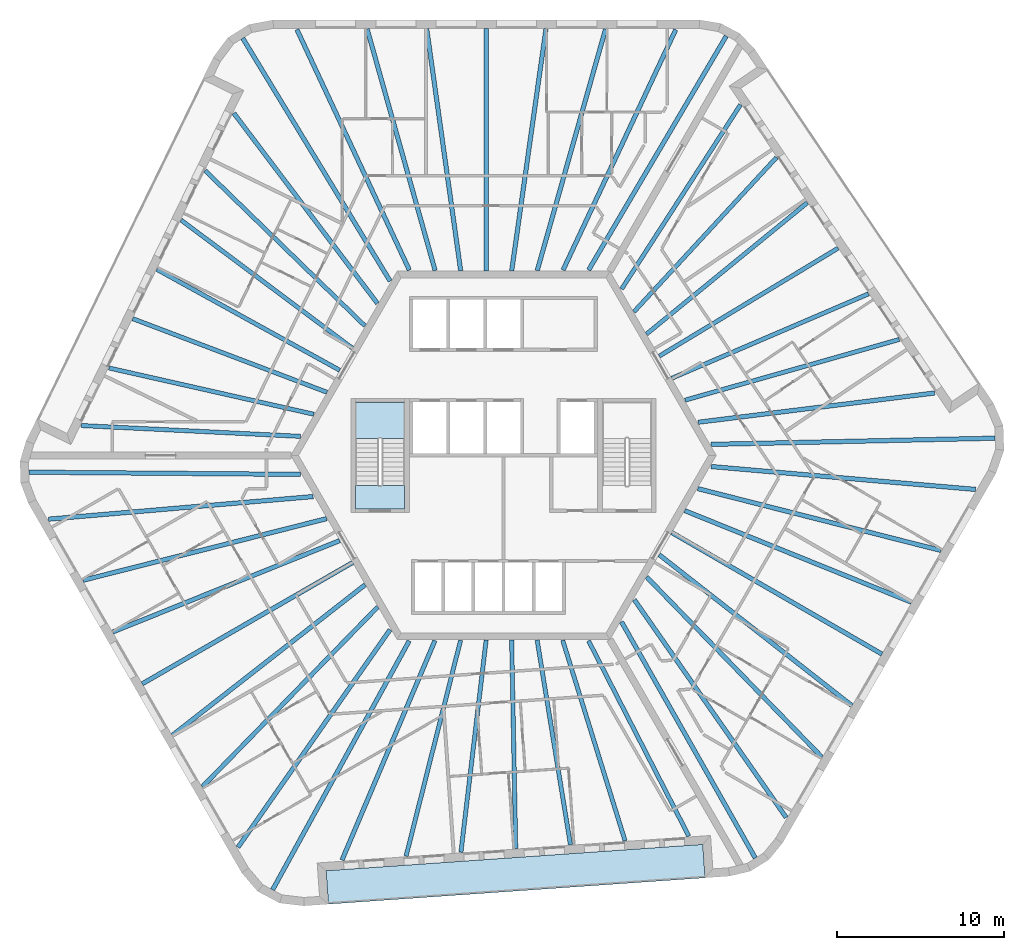
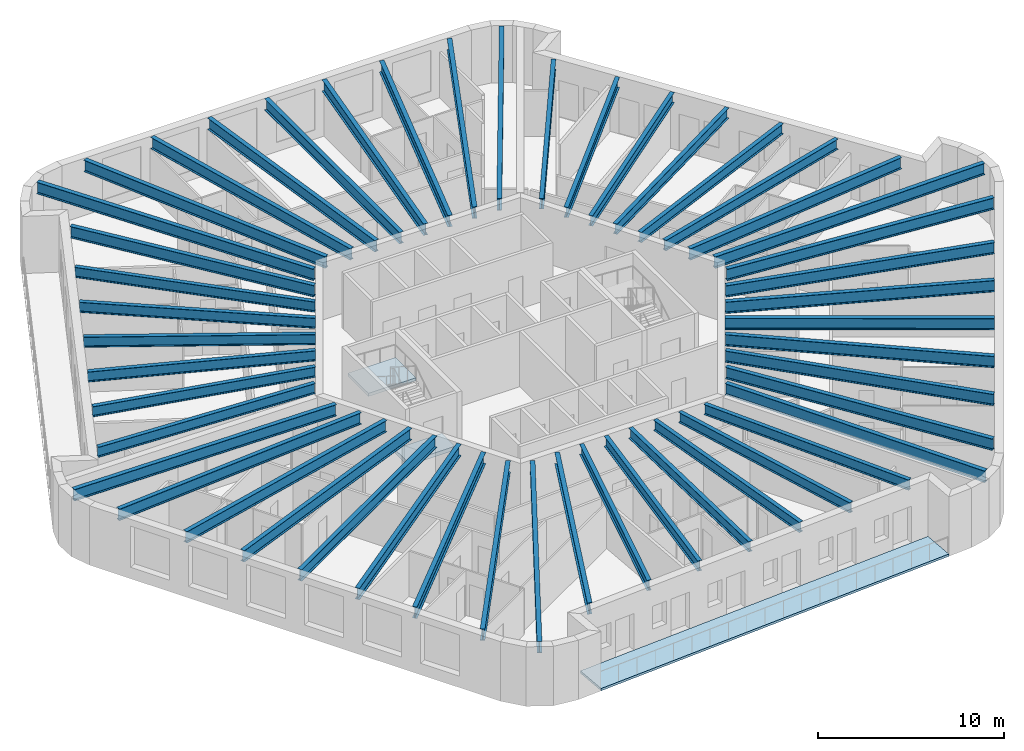
# One storey, part 1 of 12: 48 beams, 3 slabs, 1 element without a shape of its own.
"""IFC4 building model written with IfcOpenShell, lengths in metres."""

from ifc_helpers import new_model, si_unit, direction, frame, origin, origin_2d, place, context, subcontext, project, spatial, polyline, i_section, outline, extrude, material, layer, layer_set, material_profile, profile_set, type_object, element, aggregate, save


model = new_model("IFC4")

# Units and contexts
model_context = context("Model", 3, precision=1e-05, world=origin(), true_north=direction((0.0, 1.0)))
body_context = subcontext(model_context, "Body", "Model", "MODEL_VIEW")
ifc_project = project(units=[si_unit("LENGTHUNIT", "METRE"), si_unit("AREAUNIT", "SQUARE_METRE"), si_unit("VOLUMEUNIT", "CUBIC_METRE"), si_unit("PLANEANGLEUNIT", "RADIAN"), si_unit("MASSUNIT", "GRAM", prefix="KILO")], contexts=[model_context])

# Site, building, storey
site_placement = place(None, origin())
site = spatial("IfcSite", under=ifc_project, at=site_placement, CompositionType="ELEMENT")
building_placement = place(site_placement, origin())
building = spatial("IfcBuilding", under=site, at=building_placement, Name="Tarnside Tower", CompositionType="ELEMENT")
storey_placement = place(building_placement, frame((0.0, 0.0, 322.5)))
storey = spatial("IfcBuildingStorey", under=building, at=storey_placement, Name="L78", CompositionType="ELEMENT", Elevation=322.5)

# Beams
ifc_material_1 = material(Name="Steel S355", Category="steel")
ifc_material_profile_1 = material_profile(ifc_material_1, i_section(OverallWidth=0.2529296875, OverallDepth=0.677978515625, WebThickness=0.01171875, FlangeThickness=0.01611328125, FilletRadius=0.01513671875, at=origin_2d()), Name="UB 686x254x125")
ifc_profile_set_1 = profile_set([ifc_material_profile_1], Name="Steel S355")
beam_type_1 = type_object("IfcBeamType", Name="Floor beam UB 686x254x125", PredefinedType="BEAM", material=ifc_profile_set_1)
beam_1_placement = place(storey_placement, frame((-17.811279296875, 17.002197265625, 3.4111328125), z_axis=(0.717190986424, -0.696876666988, 0.0), x_axis=(0.696876666988, 0.717190986424, 0.0)))
element("IfcBeam", 1, at=beam_1_placement, inside=storey, type_object=beam_type_1, Name="Floor beam F2.02", PredefinedType="BEAM", context=body_context, shape_type="SweptSolid", body=[
    extrude(i_section(OverallWidth=0.2529296875, OverallDepth=0.677978515625, WebThickness=0.01171875, FlangeThickness=0.01611328125, FilletRadius=0.01513671875, at=origin_2d()), origin(), (0.0, 0.0, 1.0), 13.2919921875),
])
beam_2_placement = place(storey_placement, frame((-19.25, 14.0498046875, 3.4111328125), z_axis=(0.801006417676, -0.598655759883, 0.0), x_axis=(0.598655759883, 0.801006417676, 0.0)))
element("IfcBeam", 2, at=beam_2_placement, inside=storey, type_object=beam_type_1, Name="Floor beam F2.03", PredefinedType="BEAM", context=body_context, shape_type="SweptSolid", body=[
    extrude(i_section(OverallWidth=0.2529296875, OverallDepth=0.677978515625, WebThickness=0.01171875, FlangeThickness=0.01611328125, FilletRadius=0.01513671875, at=origin_2d()), origin(), (0.0, 0.0, 1.0), 12.764892578125),
])
beam_3_placement = place(storey_placement, frame((-20.70458984375, 11.111572265625, 3.4111328125), z_axis=(0.875666768762, -0.482915841619, 0.0), x_axis=(0.482915841619, 0.875666768762, 0.0)))
element("IfcBeam", 3, at=beam_3_placement, inside=storey, type_object=beam_type_1, Name="Floor beam F2.04", PredefinedType="BEAM", context=body_context, shape_type="SweptSolid", body=[
    extrude(i_section(OverallWidth=0.2529296875, OverallDepth=0.677978515625, WebThickness=0.01171875, FlangeThickness=0.01611328125, FilletRadius=0.01513671875, at=origin_2d()), origin(), (0.0, 0.0, 1.0), 12.468994140625),
])
beam_4_placement = place(storey_placement, frame((-22.141357421875, 8.165771484375, 3.4111328125), z_axis=(0.935116350489, -0.354340811998, 0.0), x_axis=(0.354340811998, 0.935116350489, 0.0)))
element("IfcBeam", 4, at=beam_4_placement, inside=storey, type_object=beam_type_1, Name="Floor beam F2.05", PredefinedType="BEAM", context=body_context, shape_type="SweptSolid", body=[
    extrude(i_section(OverallWidth=0.2529296875, OverallDepth=0.677978515625, WebThickness=0.01171875, FlangeThickness=0.01611328125, FilletRadius=0.01513671875, at=origin_2d()), origin(), (0.0, 0.0, 1.0), 12.399169921875),
])
beam_5_placement = place(storey_placement, frame((-23.556884765625, 5.2197265625, 3.4111328125), z_axis=(0.975445185376, -0.220242344534, 0.0), x_axis=(0.220242344534, 0.975445185376, 0.0)))
element("IfcBeam", 5, at=beam_5_placement, inside=storey, type_object=beam_type_1, Name="Floor beam F2.06", PredefinedType="BEAM", context=body_context, shape_type="SweptSolid", body=[
    extrude(i_section(OverallWidth=0.2529296875, OverallDepth=0.677978515625, WebThickness=0.01171875, FlangeThickness=0.01611328125, FilletRadius=0.01513671875, at=origin_2d()), origin(), (0.0, 0.0, 1.0), 12.538330078125),
])
beam_6_placement = place(storey_placement, frame((-25.214599609375, 1.7841796875, 3.4111328125), z_axis=(0.998783137237, -0.049317793651, 0.0), x_axis=(0.049317793651, 0.998783137237, 0.0)))
element("IfcBeam", 6, at=beam_6_placement, inside=storey, type_object=beam_type_1, Name="Floor beam F2.07", PredefinedType="BEAM", context=body_context, shape_type="SweptSolid", body=[
    extrude(i_section(OverallWidth=0.2529296875, OverallDepth=0.677978515625, WebThickness=0.01171875, FlangeThickness=0.01611328125, FilletRadius=0.01513671875, at=origin_2d()), origin(), (0.0, 0.0, 1.0), 13.103515625),
])
beam_7_placement = place(storey_placement, frame((-5.818603515625, -23.92626953125, 3.4111328125), z_axis=(0.244907502604, 0.969546448175, 0.0), x_axis=(-0.969546448175, 0.244907502604, 0.0)))
element("IfcBeam", 7, at=beam_7_placement, inside=storey, type_object=beam_type_1, Name="Floor beam F4.02", PredefinedType="BEAM", context=body_context, shape_type="SweptSolid", body=[
    extrude(i_section(OverallWidth=0.2529296875, OverallDepth=0.677978515625, WebThickness=0.01171875, FlangeThickness=0.01611328125, FilletRadius=0.01513671875, at=origin_2d()), origin(), (0.0, 0.0, 1.0), 13.292236328125),
])
beam_8_placement = place(storey_placement, frame((-2.54248046875, -23.69580078125, 3.4111328125), z_axis=(0.117949762105, 0.993019563563, 0.0), x_axis=(-0.993019563563, 0.117949762105, 0.0)))
element("IfcBeam", 8, at=beam_8_placement, inside=storey, type_object=beam_type_1, Name="Floor beam F4.03", PredefinedType="BEAM", context=body_context, shape_type="SweptSolid", body=[
    extrude(i_section(OverallWidth=0.2529296875, OverallDepth=0.677978515625, WebThickness=0.01171875, FlangeThickness=0.01611328125, FilletRadius=0.01513671875, at=origin_2d()), origin(), (0.0, 0.0, 1.0), 12.764892578125),
])
beam_9_placement = place(storey_placement, frame((0.7294921875, -23.486328125, 3.4111328125), z_axis=(-0.019619426101, 0.999807520536, 0.0), x_axis=(-0.999807520536, -0.019619426101, 0.0)))
element("IfcBeam", 9, at=beam_9_placement, inside=storey, type_object=beam_type_1, Name="Floor beam F4.04", PredefinedType="BEAM", context=body_context, shape_type="SweptSolid", body=[
    extrude(i_section(OverallWidth=0.2529296875, OverallDepth=0.677978515625, WebThickness=0.01171875, FlangeThickness=0.01611328125, FilletRadius=0.01513671875, at=origin_2d()), origin(), (0.0, 0.0, 1.0), 12.46875),
])
beam_10_placement = place(storey_placement, frame((3.9990234375, -23.2578125, 3.4111328125), z_axis=(-0.160690769029, 0.987004800773, 0.0), x_axis=(-0.987004800773, -0.160690769029, 0.0)))
element("IfcBeam", 10, at=beam_10_placement, inside=storey, type_object=beam_type_1, Name="Floor beam F4.05", PredefinedType="BEAM", context=body_context, shape_type="SweptSolid", body=[
    extrude(i_section(OverallWidth=0.2529296875, OverallDepth=0.677978515625, WebThickness=0.01171875, FlangeThickness=0.01611328125, FilletRadius=0.01513671875, at=origin_2d()), origin(), (0.0, 0.0, 1.0), 12.399169921875),
])
beam_11_placement = place(storey_placement, frame((7.258056640625, -23.0107421875, 3.4111328125), z_axis=(-0.296997512057, 0.954878252885, 0.0), x_axis=(-0.954878252885, -0.296997512057, 0.0)))
element("IfcBeam", 11, at=beam_11_placement, inside=storey, type_object=beam_type_1, Name="Floor beam F4.06", PredefinedType="BEAM", context=body_context, shape_type="SweptSolid", body=[
    extrude(i_section(OverallWidth=0.2529296875, OverallDepth=0.677978515625, WebThickness=0.01171875, FlangeThickness=0.01611328125, FilletRadius=0.01513671875, at=origin_2d()), origin(), (0.0, 0.0, 1.0), 12.538330078125),
])
beam_12_placement = place(storey_placement, frame((11.06201171875, -22.728515625, 3.4111328125), z_axis=(-0.456683143477, 0.889629420862, 0.0), x_axis=(-0.889629420862, -0.456683143477, 0.0)))
element("IfcBeam", 12, at=beam_12_placement, inside=storey, type_object=beam_type_1, Name="Floor beam F4.07", PredefinedType="BEAM", context=body_context, shape_type="SweptSolid", body=[
    extrude(i_section(OverallWidth=0.2529296875, OverallDepth=0.677978515625, WebThickness=0.01171875, FlangeThickness=0.01611328125, FilletRadius=0.01513671875, at=origin_2d()), origin(), (0.0, 0.0, 1.0), 13.103515625),
])
beam_13_placement = place(storey_placement, frame((23.6298828125, 6.924072265625, 3.4111328125), z_axis=(-0.962104001021, -0.272682766636, 0.0), x_axis=(0.272682766636, -0.962104001021, 0.0)))
element("IfcBeam", 13, at=beam_13_placement, inside=storey, type_object=beam_type_1, Name="Floor beam F6.02", PredefinedType="BEAM", context=body_context, shape_type="SweptSolid", body=[
    extrude(i_section(OverallWidth=0.2529296875, OverallDepth=0.677978515625, WebThickness=0.01171875, FlangeThickness=0.01611328125, FilletRadius=0.01513671875, at=origin_2d()), origin(), (0.0, 0.0, 1.0), 13.2919921875),
])
beam_14_placement = place(storey_placement, frame((21.792236328125, 9.64599609375, 3.4111328125), z_axis=(-0.918954980534, -0.394362452258, 0.0), x_axis=(0.394362452258, -0.918954980534, 0.0)))
element("IfcBeam", 14, at=beam_14_placement, inside=storey, type_object=beam_type_1, Name="Floor beam F6.03", PredefinedType="BEAM", context=body_context, shape_type="SweptSolid", body=[
    extrude(i_section(OverallWidth=0.2529296875, OverallDepth=0.677978515625, WebThickness=0.01171875, FlangeThickness=0.01611328125, FilletRadius=0.01513671875, at=origin_2d()), origin(), (0.0, 0.0, 1.0), 12.7646484375),
])
beam_15_placement = place(storey_placement, frame((19.97509765625, 12.375, 3.4111328125), z_axis=(-0.856046953876, -0.516898068055, 0.0), x_axis=(0.516898068055, -0.856046953876, 0.0)))
element("IfcBeam", 15, at=beam_15_placement, inside=storey, type_object=beam_type_1, Name="Floor beam F6.04", PredefinedType="BEAM", context=body_context, shape_type="SweptSolid", body=[
    extrude(i_section(OverallWidth=0.2529296875, OverallDepth=0.677978515625, WebThickness=0.01171875, FlangeThickness=0.01611328125, FilletRadius=0.01513671875, at=origin_2d()), origin(), (0.0, 0.0, 1.0), 12.46875),
])
beam_16_placement = place(storey_placement, frame((18.142333984375, 15.092041015625, 3.4111328125), z_axis=(-0.774438707576, -0.632648945473, 0.0), x_axis=(0.632648945473, -0.774438707576, 0.0)))
element("IfcBeam", 16, at=beam_16_placement, inside=storey, type_object=beam_type_1, Name="Floor beam F6.05", PredefinedType="BEAM", context=body_context, shape_type="SweptSolid", body=[
    extrude(i_section(OverallWidth=0.2529296875, OverallDepth=0.677978515625, WebThickness=0.01171875, FlangeThickness=0.01611328125, FilletRadius=0.01513671875, at=origin_2d()), origin(), (0.0, 0.0, 1.0), 12.39892578125),
])
beam_17_placement = place(storey_placement, frame((16.299072265625, 17.791015625, 3.4111328125), z_axis=(-0.67846123451, -0.734636204708, 0.0), x_axis=(0.734636204708, -0.67846123451, 0.0)))
element("IfcBeam", 17, at=beam_17_placement, inside=storey, type_object=beam_type_1, Name="Floor beam F6.06", PredefinedType="BEAM", context=body_context, shape_type="SweptSolid", body=[
    extrude(i_section(OverallWidth=0.2529296875, OverallDepth=0.677978515625, WebThickness=0.01171875, FlangeThickness=0.01611328125, FilletRadius=0.01513671875, at=origin_2d()), origin(), (0.0, 0.0, 1.0), 12.538330078125),
])
beam_18_placement = place(storey_placement, frame((14.152587890625, 20.9443359375, 3.4111328125), z_axis=(-0.54209970956, -0.840314170352, 0.0), x_axis=(0.840314170352, -0.54209970956, 0.0)))
element("IfcBeam", 18, at=beam_18_placement, inside=storey, type_object=beam_type_1, Name="Floor beam F6.07", PredefinedType="BEAM", context=body_context, shape_type="SweptSolid", body=[
    extrude(i_section(OverallWidth=0.2529296875, OverallDepth=0.677978515625, WebThickness=0.01171875, FlangeThickness=0.01611328125, FilletRadius=0.01513671875, at=origin_2d()), origin(), (0.0, 0.0, 1.0), 13.103759765625),
])
ifc_material_profile_2 = material_profile(ifc_material_1, i_section(OverallWidth=0.26513671875, OverallDepth=0.75390625, WebThickness=0.0126953125, FlangeThickness=0.017578125, FilletRadius=0.0166015625, at=origin_2d()), Name="UB 762x267x147")
ifc_profile_set_2 = profile_set([ifc_material_profile_2], Name="Steel S355")
beam_type_2 = type_object("IfcBeamType", Name="Floor beam UB 762x267x147", PredefinedType="BEAM", material=ifc_profile_set_2)
beam_19_placement = place(storey_placement, frame((6.093505859375, 25.46142578125, 3.373046875), z_axis=(-0.272147186115, -0.962255636039, 0.0), x_axis=(0.962255636039, -0.272147186115, 0.0)))
element("IfcBeam", 19, at=beam_19_placement, inside=storey, type_object=beam_type_2, Name="Floor beam F1.02", PredefinedType="BEAM", context=body_context, shape_type="SweptSolid", body=[
    extrude(i_section(OverallWidth=0.26513671875, OverallDepth=0.75390625, WebThickness=0.0126953125, FlangeThickness=0.017578125, FilletRadius=0.0166015625, at=origin_2d()), origin(), (0.0, 0.0, 1.0), 14.988525390625),
])
beam_20_placement = place(storey_placement, frame((2.537109375, 25.480224609375, 3.373046875), z_axis=(-0.140349428967, -0.990102034029, 0.0), x_axis=(0.990102034029, -0.140349428967, 0.0)))
element("IfcBeam", 20, at=beam_20_placement, inside=storey, type_object=beam_type_2, Name="Floor beam F1.03", PredefinedType="BEAM", context=body_context, shape_type="SweptSolid", body=[
    extrude(i_section(OverallWidth=0.26513671875, OverallDepth=0.75390625, WebThickness=0.0126953125, FlangeThickness=0.017578125, FilletRadius=0.0166015625, at=origin_2d()), origin(), (0.0, 0.0, 1.0), 14.60498046875),
])
beam_21_placement = place(storey_placement, frame((-1.02490234375, 25.5, 3.373046875), z_axis=(-0.000656653953, -0.999999784403, 0.0), x_axis=(0.999999784403, -0.000656653953, 0.0)))
element("IfcBeam", 21, at=beam_21_placement, inside=storey, type_object=beam_type_2, Name="Floor beam F1.04", PredefinedType="BEAM", context=body_context, shape_type="SweptSolid", body=[
    extrude(i_section(OverallWidth=0.26513671875, OverallDepth=0.75390625, WebThickness=0.0126953125, FlangeThickness=0.017578125, FilletRadius=0.0166015625, at=origin_2d()), origin(), (0.0, 0.0, 1.0), 14.5),
])
beam_22_placement = place(storey_placement, frame((-4.5869140625, 25.480224609375, 3.373046875), z_axis=(0.139070897001, -0.990282427193, 0.0), x_axis=(0.990282427193, 0.139070897001, 0.0)))
element("IfcBeam", 22, at=beam_22_placement, inside=storey, type_object=beam_type_2, Name="Floor beam F1.05", PredefinedType="BEAM", context=body_context, shape_type="SweptSolid", body=[
    extrude(i_section(OverallWidth=0.26513671875, OverallDepth=0.75390625, WebThickness=0.0126953125, FlangeThickness=0.017578125, FilletRadius=0.0166015625, at=origin_2d()), origin(), (0.0, 0.0, 1.0), 14.602294921875),
])
beam_23_placement = place(storey_placement, frame((-8.1435546875, 25.46142578125, 3.373046875), z_axis=(0.270985274434, -0.962583493023, 0.0), x_axis=(0.962583493023, 0.270985274434, 0.0)))
element("IfcBeam", 23, at=beam_23_placement, inside=storey, type_object=beam_type_2, Name="Floor beam F1.06", PredefinedType="BEAM", context=body_context, shape_type="SweptSolid", body=[
    extrude(i_section(OverallWidth=0.26513671875, OverallDepth=0.75390625, WebThickness=0.0126953125, FlangeThickness=0.017578125, FilletRadius=0.0166015625, at=origin_2d()), origin(), (0.0, 0.0, 1.0), 14.9833984375),
])
beam_24_placement = place(storey_placement, frame((-16.101318359375, 20.43212890625, 3.373046875), z_axis=(0.602566097863, -0.798068980543, 0.0), x_axis=(0.798068980543, 0.602566097863, 0.0)))
element("IfcBeam", 24, at=beam_24_placement, inside=storey, type_object=beam_type_2, Name="Floor beam F2.01", PredefinedType="BEAM", context=body_context, shape_type="SweptSolid", body=[
    extrude(i_section(OverallWidth=0.26513671875, OverallDepth=0.75390625, WebThickness=0.0126953125, FlangeThickness=0.017578125, FilletRadius=0.0166015625, at=origin_2d()), origin(), (0.0, 0.0, 1.0), 14.231201171875),
])
beam_25_placement = place(storey_placement, frame((-25.09716796875, -7.45361328125, 3.373046875), z_axis=(0.969413823687, 0.245431942592, 0.0), x_axis=(-0.245431942592, 0.969413823687, 0.0)))
element("IfcBeam", 25, at=beam_25_placement, inside=storey, type_object=beam_type_2, Name="Floor beam F3.02", PredefinedType="BEAM", context=body_context, shape_type="SweptSolid", body=[
    extrude(i_section(OverallWidth=0.26513671875, OverallDepth=0.75390625, WebThickness=0.0126953125, FlangeThickness=0.017578125, FilletRadius=0.0166015625, at=origin_2d()), origin(), (0.0, 0.0, 1.0), 14.98876953125),
])
beam_26_placement = place(storey_placement, frame((-23.3349609375, -10.54296875, 3.373046875), z_axis=(0.927625766949, 0.373510958998, 0.0), x_axis=(-0.373510958998, 0.927625766949, 0.0)))
element("IfcBeam", 26, at=beam_26_placement, inside=storey, type_object=beam_type_2, Name="Floor beam F3.03", PredefinedType="BEAM", context=body_context, shape_type="SweptSolid", body=[
    extrude(i_section(OverallWidth=0.26513671875, OverallDepth=0.75390625, WebThickness=0.0126953125, FlangeThickness=0.017578125, FilletRadius=0.0166015625, at=origin_2d()), origin(), (0.0, 0.0, 1.0), 14.60498046875),
])
beam_27_placement = place(storey_placement, frame((-21.5712890625, -13.6376953125, 3.373046875), z_axis=(0.866357363831, 0.499424587036, 0.0), x_axis=(-0.499424587036, 0.866357363831, 0.0)))
element("IfcBeam", 27, at=beam_27_placement, inside=storey, type_object=beam_type_2, Name="Floor beam F3.04", PredefinedType="BEAM", context=body_context, shape_type="SweptSolid", body=[
    extrude(i_section(OverallWidth=0.26513671875, OverallDepth=0.75390625, WebThickness=0.0126953125, FlangeThickness=0.017578125, FilletRadius=0.0166015625, at=origin_2d()), origin(), (0.0, 0.0, 1.0), 14.5),
])
beam_28_placement = place(storey_placement, frame((-19.77294921875, -16.71240234375, 3.373046875), z_axis=(0.788074813552, 0.615579473541, 0.0), x_axis=(-0.615579473541, 0.788074813552, 0.0)))
element("IfcBeam", 28, at=beam_28_placement, inside=storey, type_object=beam_type_2, Name="Floor beam F3.05", PredefinedType="BEAM", context=body_context, shape_type="SweptSolid", body=[
    extrude(i_section(OverallWidth=0.26513671875, OverallDepth=0.75390625, WebThickness=0.0126953125, FlangeThickness=0.017578125, FilletRadius=0.0166015625, at=origin_2d()), origin(), (0.0, 0.0, 1.0), 14.60205078125),
])
beam_29_placement = place(storey_placement, frame((-17.978515625, -19.783203125, 3.373046875), z_axis=(0.698129580508, 0.71597143017, 0.0), x_axis=(-0.71597143017, 0.698129580508, 0.0)))
element("IfcBeam", 29, at=beam_29_placement, inside=storey, type_object=beam_type_2, Name="Floor beam F3.06", PredefinedType="BEAM", context=body_context, shape_type="SweptSolid", body=[
    extrude(i_section(OverallWidth=0.26513671875, OverallDepth=0.75390625, WebThickness=0.0126953125, FlangeThickness=0.017578125, FilletRadius=0.0166015625, at=origin_2d()), origin(), (0.0, 0.0, 1.0), 14.983642578125),
])
beam_30_placement = place(storey_placement, frame((-9.64404296875, -24.160400390625, 3.373046875), z_axis=(0.389873911801, 0.920868249478, 0.0), x_axis=(-0.920868249478, 0.389873911801, 0.0)))
element("IfcBeam", 30, at=beam_30_placement, inside=storey, type_object=beam_type_2, Name="Floor beam F4.01", PredefinedType="BEAM", context=body_context, shape_type="SweptSolid", body=[
    extrude(i_section(OverallWidth=0.26513671875, OverallDepth=0.75390625, WebThickness=0.0126953125, FlangeThickness=0.017578125, FilletRadius=0.0166015625, at=origin_2d()), origin(), (0.0, 0.0, 1.0), 14.231201171875),
])
beam_31_placement = place(storey_placement, frame((19.00341796875, -18.008056640625, 3.373046875), z_axis=(-0.697249797022, 0.716828236437, 0.0), x_axis=(-0.716828236437, -0.697249797022, 0.0)))
element("IfcBeam", 31, at=beam_31_placement, inside=storey, type_object=beam_type_2, Name="Floor beam F5.02", PredefinedType="BEAM", context=body_context, shape_type="SweptSolid", body=[
    extrude(i_section(OverallWidth=0.26513671875, OverallDepth=0.75390625, WebThickness=0.0126953125, FlangeThickness=0.017578125, FilletRadius=0.0166015625, at=origin_2d()), origin(), (0.0, 0.0, 1.0), 14.98876953125),
])
beam_32_placement = place(storey_placement, frame((20.798095703125, -14.937255859375, 3.373046875), z_axis=(-0.787282014804, 0.616593082321, 0.0), x_axis=(-0.616593082321, -0.787282014804, 0.0)))
element("IfcBeam", 32, at=beam_32_placement, inside=storey, type_object=beam_type_2, Name="Floor beam F5.03", PredefinedType="BEAM", context=body_context, shape_type="SweptSolid", body=[
    extrude(i_section(OverallWidth=0.26513671875, OverallDepth=0.75390625, WebThickness=0.0126953125, FlangeThickness=0.017578125, FilletRadius=0.0166015625, at=origin_2d()), origin(), (0.0, 0.0, 1.0), 14.60498046875),
])
beam_33_placement = place(storey_placement, frame((22.59619140625, -11.8623046875, 3.373046875), z_axis=(-0.865697438889, 0.500567622106, 0.0), x_axis=(-0.500567622106, -0.865697438889, 0.0)))
element("IfcBeam", 33, at=beam_33_placement, inside=storey, type_object=beam_type_2, Name="Floor beam F5.04", PredefinedType="BEAM", context=body_context, shape_type="SweptSolid", body=[
    extrude(i_section(OverallWidth=0.26513671875, OverallDepth=0.75390625, WebThickness=0.0126953125, FlangeThickness=0.017578125, FilletRadius=0.0166015625, at=origin_2d()), origin(), (0.0, 0.0, 1.0), 14.500244140625),
])
beam_34_placement = place(storey_placement, frame((24.35986328125, -8.767578125, 3.373046875), z_axis=(-0.927145907531, 0.374700501933, 0.0), x_axis=(-0.374700501933, -0.927145907531, 0.0)))
element("IfcBeam", 34, at=beam_34_placement, inside=storey, type_object=beam_type_2, Name="Floor beam F5.05", PredefinedType="BEAM", context=body_context, shape_type="SweptSolid", body=[
    extrude(i_section(OverallWidth=0.26513671875, OverallDepth=0.75390625, WebThickness=0.0126953125, FlangeThickness=0.017578125, FilletRadius=0.0166015625, at=origin_2d()), origin(), (0.0, 0.0, 1.0), 14.60205078125),
])
beam_35_placement = place(storey_placement, frame((26.1220703125, -5.67822265625, 3.373046875), z_axis=(-0.969115089144, 0.246608888716, 0.0), x_axis=(-0.246608888716, -0.969115089144, 0.0)))
element("IfcBeam", 35, at=beam_35_placement, inside=storey, type_object=beam_type_2, Name="Floor beam F5.06", PredefinedType="BEAM", context=body_context, shape_type="SweptSolid", body=[
    extrude(i_section(OverallWidth=0.26513671875, OverallDepth=0.75390625, WebThickness=0.0126953125, FlangeThickness=0.017578125, FilletRadius=0.0166015625, at=origin_2d()), origin(), (0.0, 0.0, 1.0), 14.9833984375),
])
beam_36_placement = place(storey_placement, frame((25.745361328125, 3.72802734375, 3.373046875), z_axis=(-0.992433598491, -0.122782541866, 0.0), x_axis=(0.122782541866, -0.992433598491, 0.0)))
element("IfcBeam", 36, at=beam_36_placement, inside=storey, type_object=beam_type_2, Name="Floor beam F6.01", PredefinedType="BEAM", context=body_context, shape_type="SweptSolid", body=[
    extrude(i_section(OverallWidth=0.26513671875, OverallDepth=0.75390625, WebThickness=0.0126953125, FlangeThickness=0.017578125, FilletRadius=0.0166015625, at=origin_2d()), origin(), (0.0, 0.0, 1.0), 14.23095703125),
])
ifc_material_profile_3 = material_profile(ifc_material_1, i_section(OverallWidth=0.2666015625, OverallDepth=0.76220703125, WebThickness=0.014404296875, FlangeThickness=0.021484375, FilletRadius=0.0166015625, at=origin_2d()), Name="UB 762x267x173")
ifc_profile_set_3 = profile_set([ifc_material_profile_3], Name="Steel S355")
beam_type_3 = type_object("IfcBeamType", Name="Floor beam UB 762x267x173", PredefinedType="BEAM", material=ifc_profile_set_3)
beam_37_placement = place(storey_placement, frame((10.285400390625, 25.427490234375, 3.368896484375), z_axis=(-0.424439399801, -0.905456346765, 0.0), x_axis=(0.905456346765, -0.424439399801, 0.0)))
element("IfcBeam", 37, at=beam_37_placement, inside=storey, type_object=beam_type_3, Name="Floor beam F1.01", PredefinedType="BEAM", context=body_context, shape_type="SweptSolid", body=[
    extrude(i_section(OverallWidth=0.2666015625, OverallDepth=0.76220703125, WebThickness=0.014404296875, FlangeThickness=0.021484375, FilletRadius=0.0166015625, at=origin_2d()), origin(), (0.0, 0.0, 1.0), 15.853759765625),
])
beam_38_placement = place(storey_placement, frame((-12.335205078125, 25.427490234375, 3.368896484375), z_axis=(0.423453877267, -0.905917663934, 0.0), x_axis=(0.905917663934, 0.423453877267, 0.0)))
element("IfcBeam", 38, at=beam_38_placement, inside=storey, type_object=beam_type_3, Name="Floor beam F1.07", PredefinedType="BEAM", context=body_context, shape_type="SweptSolid", body=[
    extrude(i_section(OverallWidth=0.2666015625, OverallDepth=0.76220703125, WebThickness=0.014404296875, FlangeThickness=0.021484375, FilletRadius=0.0166015625, at=origin_2d()), origin(), (0.0, 0.0, 1.0), 15.845703125),
])
beam_39_placement = place(storey_placement, frame((-15.5703125, 24.91162109375, 3.368896484375), z_axis=(0.518716683755, -0.854946198304, 0.0), x_axis=(0.854946198304, 0.518716683755, 0.0)))
element("IfcBeam", 39, at=beam_39_placement, inside=storey, type_object=beam_type_3, Name="Floor beam C1", PredefinedType="BEAM", context=body_context, shape_type="SweptSolid", body=[
    extrude(i_section(OverallWidth=0.2666015625, OverallDepth=0.76220703125, WebThickness=0.014404296875, FlangeThickness=0.021484375, FilletRadius=0.0166015625, at=origin_2d()), origin(), (0.0, 0.0, 1.0), 16.961181640625),
])
beam_40_placement = place(storey_placement, frame((-28.3291015625, -1.0009765625, 3.368896484375), z_axis=(0.999966651082, -0.008166806173, 0.0), x_axis=(0.008166806173, 0.999966651082, 0.0)))
element("IfcBeam", 40, at=beam_40_placement, inside=storey, type_object=beam_type_3, Name="Floor beam C2", PredefinedType="BEAM", context=body_context, shape_type="SweptSolid", body=[
    extrude(i_section(OverallWidth=0.2666015625, OverallDepth=0.76220703125, WebThickness=0.014404296875, FlangeThickness=0.021484375, FilletRadius=0.0166015625, at=origin_2d()), origin(), (0.0, 0.0, 1.0), 16.20263671875),
])
beam_41_placement = place(storey_placement, frame((-27.16357421875, -3.806396484375, 3.368896484375), z_axis=(0.996367434748, 0.085158293626, 0.0), x_axis=(-0.085158293626, 0.996367434748, 0.0)))
element("IfcBeam", 41, at=beam_41_placement, inside=storey, type_object=beam_type_3, Name="Floor beam F3.01", PredefinedType="BEAM", context=body_context, shape_type="SweptSolid", body=[
    extrude(i_section(OverallWidth=0.2666015625, OverallDepth=0.76220703125, WebThickness=0.014404296875, FlangeThickness=0.021484375, FilletRadius=0.0166015625, at=origin_2d()), origin(), (0.0, 0.0, 1.0), 15.85400390625),
])
beam_42_placement = place(storey_placement, frame((-15.853271484375, -23.396484375, 3.368896484375), z_axis=(0.572816933654, 0.819683329414, 0.0), x_axis=(-0.819683329414, 0.572816933654, 0.0)))
element("IfcBeam", 42, at=beam_42_placement, inside=storey, type_object=beam_type_3, Name="Floor beam F3.07", PredefinedType="BEAM", context=body_context, shape_type="SweptSolid", body=[
    extrude(i_section(OverallWidth=0.2666015625, OverallDepth=0.76220703125, WebThickness=0.014404296875, FlangeThickness=0.021484375, FilletRadius=0.0166015625, at=origin_2d()), origin(), (0.0, 0.0, 1.0), 15.84619140625),
])
beam_43_placement = place(storey_placement, frame((-13.788818359375, -25.93994140625, 3.368896484375), z_axis=(0.481036073107, 0.876700802081, 0.0), x_axis=(-0.876700802081, 0.481036073107, 0.0)))
element("IfcBeam", 43, at=beam_43_placement, inside=storey, type_object=beam_type_3, Name="Floor beam C3", PredefinedType="BEAM", context=body_context, shape_type="SweptSolid", body=[
    extrude(i_section(OverallWidth=0.2666015625, OverallDepth=0.76220703125, WebThickness=0.014404296875, FlangeThickness=0.021484375, FilletRadius=0.0166015625, at=origin_2d()), origin(), (0.0, 0.0, 1.0), 16.961181640625),
])
beam_44_placement = place(storey_placement, frame((15.031494140625, -24.033447265625, 3.368896484375), z_axis=(-0.49290801997, 0.870081423689, 0.0), x_axis=(-0.870081423689, -0.49290801997, 0.0)))
element("IfcBeam", 44, at=beam_44_placement, inside=storey, type_object=beam_type_3, Name="Floor beam C4", PredefinedType="BEAM", context=body_context, shape_type="SweptSolid", body=[
    extrude(i_section(OverallWidth=0.2666015625, OverallDepth=0.76220703125, WebThickness=0.014404296875, FlangeThickness=0.021484375, FilletRadius=0.0166015625, at=origin_2d()), origin(), (0.0, 0.0, 1.0), 16.202880859375),
])
beam_45_placement = place(storey_placement, frame((16.87841796875, -21.62109375, 3.368896484375), z_axis=(-0.571946235641, 0.82029110902, 0.0), x_axis=(-0.82029110902, -0.571946235641, 0.0)))
element("IfcBeam", 45, at=beam_45_placement, inside=storey, type_object=beam_type_3, Name="Floor beam F5.01", PredefinedType="BEAM", context=body_context, shape_type="SweptSolid", body=[
    extrude(i_section(OverallWidth=0.2666015625, OverallDepth=0.76220703125, WebThickness=0.014404296875, FlangeThickness=0.021484375, FilletRadius=0.0166015625, at=origin_2d()), origin(), (0.0, 0.0, 1.0), 15.85400390625),
])
beam_46_placement = place(storey_placement, frame((28.1884765625, -2.03125, 3.368896484375), z_axis=(-0.996273584651, 0.086249316098, 0.0), x_axis=(-0.086249316098, -0.996273584651, 0.0)))
element("IfcBeam", 46, at=beam_46_placement, inside=storey, type_object=beam_type_3, Name="Floor beam F5.07", PredefinedType="BEAM", context=body_context, shape_type="SweptSolid", body=[
    extrude(i_section(OverallWidth=0.2666015625, OverallDepth=0.76220703125, WebThickness=0.014404296875, FlangeThickness=0.021484375, FilletRadius=0.0166015625, at=origin_2d()), origin(), (0.0, 0.0, 1.0), 15.845947265625),
])
beam_47_placement = place(storey_placement, frame((29.359130859375, 1.028564453125, 3.368896484375), z_axis=(-0.999763142455, -0.02176370807, 0.0), x_axis=(0.02176370807, -0.999763142455, 0.0)))
element("IfcBeam", 47, at=beam_47_placement, inside=storey, type_object=beam_type_3, Name="Floor beam C5", PredefinedType="BEAM", context=body_context, shape_type="SweptSolid", body=[
    extrude(i_section(OverallWidth=0.2666015625, OverallDepth=0.76220703125, WebThickness=0.014404296875, FlangeThickness=0.021484375, FilletRadius=0.0166015625, at=origin_2d()), origin(), (0.0, 0.0, 1.0), 16.961181640625),
])
beam_48_placement = place(storey_placement, frame((13.2978515625, 25.0341796875, 3.368896484375), z_axis=(-0.507080048325, -0.861898964259, 0.0), x_axis=(0.861898964259, -0.507080048325, 0.0)))
element("IfcBeam", 48, at=beam_48_placement, inside=storey, type_object=beam_type_3, Name="Floor beam C6", PredefinedType="BEAM", context=body_context, shape_type="SweptSolid", body=[
    extrude(i_section(OverallWidth=0.2666015625, OverallDepth=0.76220703125, WebThickness=0.014404296875, FlangeThickness=0.021484375, FilletRadius=0.0166015625, at=origin_2d()), origin(), (0.0, 0.0, 1.0), 16.20263671875),
])

# Slabs
ifc_material_2 = material(Name="Concrete C40/50", Category="concrete")
ifc_layer_1 = layer(ifc_material_2, 0.25)
ifc_layer_set_1 = layer_set([ifc_layer_1], Name="Core slab C40/50")
slab_type_1 = type_object("IfcSlabType", Name="Core slab C40/50", PredefinedType="FLOOR", material=ifc_layer_set_1)
slab_1_placement = place(storey_placement, frame((0.0, 0.0, -0.25)))
element("IfcSlab", 49, at=slab_1_placement, inside=storey, type_object=slab_type_1, Name="L78 core floor slab 2", PredefinedType="FLOOR", context=body_context, shape_type="SweptSolid", body=[
    extrude(outline(polyline([(-8.85009765625, -3.199951171875), (-8.85009765625, -1.800048828125), (-5.89990234375, -1.800048828125), (-5.89990234375, -3.199951171875), (-8.85009765625, -3.199951171875)])), origin(), (0.0, 0.0, 1.0), 0.25),
])
ifc_material_3 = material(Name="Timber decking", Category="wood")
ifc_layer_2 = layer(ifc_material_3, 0.0400390625)
ifc_material_4 = material(Name="Concrete C60/75 precast", Category="concrete")
ifc_layer_3 = layer(ifc_material_4, 0.110107421875)
ifc_layer_set_2 = layer_set([ifc_layer_2, ifc_layer_3], Name="Loggia deck 150")
slab_type_2 = type_object("IfcSlabType", Name="Loggia deck 150", PredefinedType="FLOOR", material=ifc_layer_set_2)
slab_2_placement = place(storey_placement, frame((0.0, 0.0, -0.14990234375)))
element("IfcSlab", 50, at=slab_2_placement, inside=storey, type_object=slab_type_2, Name="Loggia deck L78 F4", PredefinedType="FLOOR", context=body_context, shape_type="SweptSolid", body=[
    extrude(outline(polyline([(-10.593017578125, -24.79931640625), (11.896728515625, -23.226806640625), (12.036376953125, -25.221923828125), (-10.45361328125, -26.79443359375), (-10.593017578125, -24.79931640625)])), origin(), (0.0, 0.0, 1.0), 0.14990234375),
])

# Stair, slab
stair_type = type_object("IfcStairType", Name="Exit stair 1400 clear", PredefinedType="HALF_TURN_STAIR", material=ifc_material_2)
stair_placement = place(storey_placement, origin())
stair = element("IfcStair", 51, at=stair_placement, inside=storey, type_object=stair_type, Name="L78 Exit stair 2", PredefinedType="HALF_TURN_STAIR")
ifc_layer_4 = layer(ifc_material_2, 0.199951171875)
ifc_layer_set_3 = layer_set([ifc_layer_4], Name="Stair landing 200 C40/50")
slab_type_3 = type_object("IfcSlabType", Name="Stair landing 200 C40/50", PredefinedType="LANDING", material=ifc_layer_set_3)
slab_3_placement = place(storey_placement, frame((0.0, 0.0, 1.75)))
slab_3 = element("IfcSlab", 52, at=slab_3_placement, type_object=slab_type_3, Name="ST2 landing 1", PredefinedType="LANDING", context=body_context, shape_type="SweptSolid", body=[
    extrude(outline(polyline([(-5.89990234375, 1.0), (-5.89990234375, 3.199951171875), (-8.85009765625, 3.199951171875), (-8.85009765625, 1.0), (-5.89990234375, 1.0)])), origin(), (0.0, 0.0, 1.0), 0.199951171875),
])
aggregate(stair, [slab_3])

save(model, "model.ifc")
